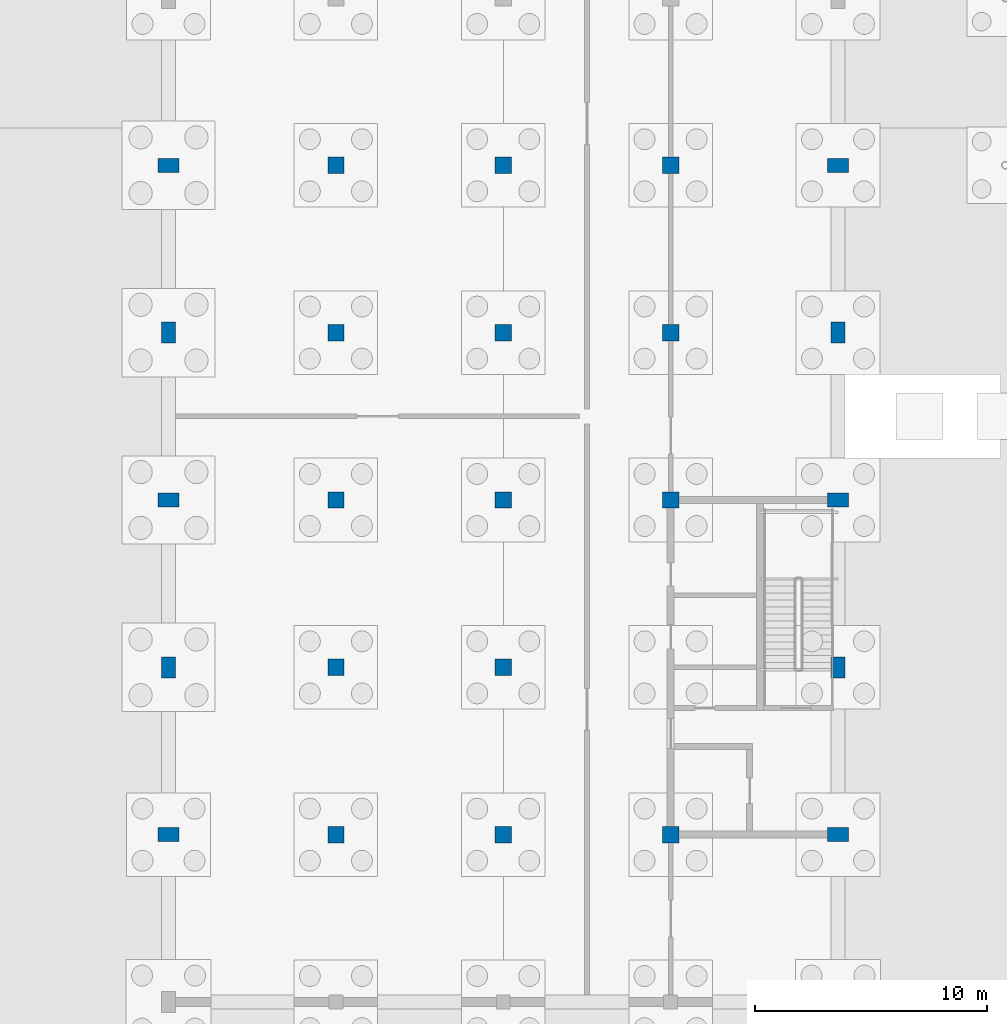
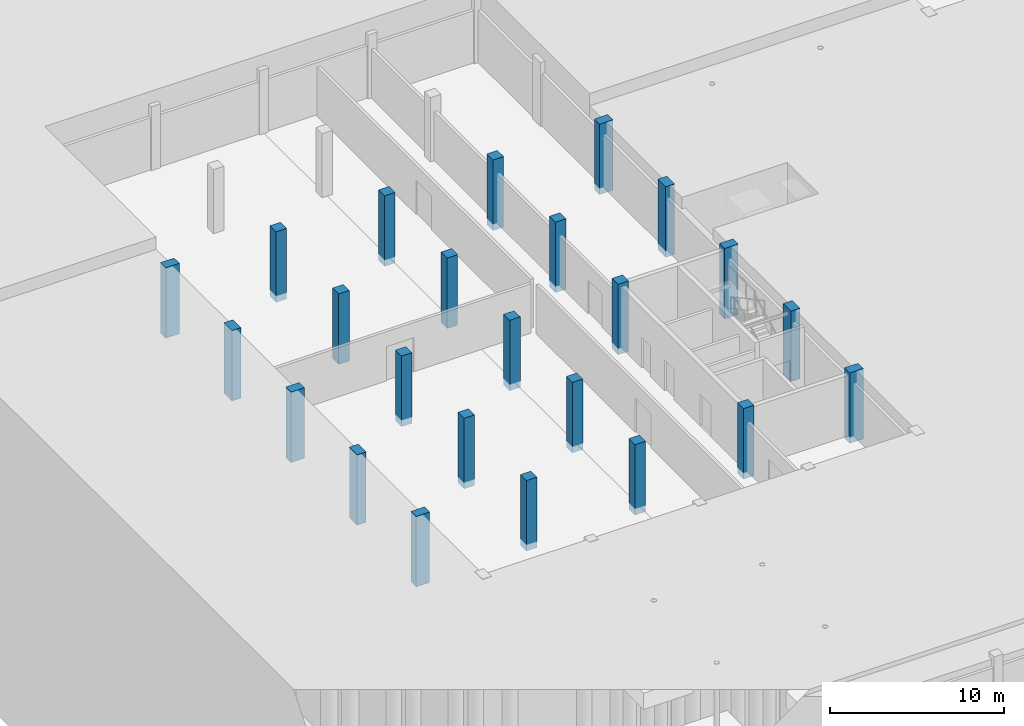
# One storey, part 17 of 51: 24 columns.
"""IFC4 building model written with IfcOpenShell, lengths in metres."""

from ifc_helpers import new_model, si_unit, direction, frame, origin, origin_2d, place, context, subcontext, project, spatial, rectangle, extrude, material, material_profile, profile_set, type_object, element, save


model = new_model("IFC4")

# Units and contexts
model_context = context("Model", 3, precision=1e-05, world=origin(), true_north=direction((0.0, 1.0)))
body_context = subcontext(model_context, "Body", "Model", "MODEL_VIEW")
ifc_project = project(units=[si_unit("LENGTHUNIT", "METRE"), si_unit("AREAUNIT", "SQUARE_METRE"), si_unit("VOLUMEUNIT", "CUBIC_METRE"), si_unit("PLANEANGLEUNIT", "RADIAN"), si_unit("MASSUNIT", "GRAM", prefix="KILO")], contexts=[model_context])

# Site, building, storey
site_placement = place(None, origin())
site = spatial("IfcSite", under=ifc_project, at=site_placement, CompositionType="ELEMENT")
building_placement = place(site_placement, origin())
building = spatial("IfcBuilding", under=site, at=building_placement, Name="Zlatovets Crest Museum", CompositionType="ELEMENT")
storey_placement = place(building_placement, frame((0.0, 0.0, -4.5)))
storey = spatial("IfcBuildingStorey", under=building, at=storey_placement, Name="B1", CompositionType="ELEMENT", Elevation=-4.5)

# Columns
ifc_material = material(Name="Concrete C35/45", Category="concrete")
ifc_material_profile_1 = material_profile(ifc_material, rectangle(XDim=0.699951171875, YDim=0.699951171875, at=origin_2d()), Name="RC 700x700")
ifc_profile_set_1 = profile_set([ifc_material_profile_1], Name="Concrete C35/45")
column_type_1 = type_object("IfcColumnType", Name="Col_C-01", PredefinedType="COLUMN", material=ifc_profile_set_1)
for number, where, z_axis, x_axis, name in (
    (1, (14.39990234375, 57.60009765625, -0.449951171875), (0.0, 0.0, 1.0), (1.0, 0.0, 0.0), "V4 B1 Column (14.4, 57.6)"),
    (2, (14.39990234375, 64.800048828125, -0.449951171875), (0.0, 0.0, 1.0), (0.0, 1.0, 0.0), "V4 B1 Column (14.4, 64.8)"),
    (3, (14.39990234375, 72.0, -0.449951171875), (0.0, 0.0, 1.0), (1.0, 0.0, 0.0), "V4 B1 Column (14.4, 72.0)"),
    (4, (14.39990234375, 79.199951171875, -0.449951171875), (0.0, 0.0, 1.0), (0.0, 1.0, 0.0), "V4 B1 Column (14.4, 79.2)"),
    (5, (14.39990234375, 86.39990234375, -0.449951171875), (0.0, 0.0, 1.0), (1.0, 0.0, 0.0), "V4 B1 Column (14.4, 86.4)"),
    (6, (21.60009765625, 57.60009765625, -0.449951171875), (0.0, 0.0, 1.0), (0.0, 1.0, 0.0), "V4 B1 Column (21.6, 57.6)"),
    (7, (21.60009765625, 64.800048828125, -0.449951171875), (0.0, 0.0, 1.0), (1.0, 0.0, 0.0), "V4 B1 Column (21.6, 64.8)"),
    (8, (21.60009765625, 72.0, -0.449951171875), (0.0, 0.0, 1.0), (0.0, 1.0, 0.0), "V4 B1 Column (21.6, 72.0)"),
    (9, (21.60009765625, 79.199951171875, -0.449951171875), (0.0, 0.0, 1.0), (1.0, 0.0, 0.0), "V4 B1 Column (21.6, 79.2)"),
    (10, (21.60009765625, 86.39990234375, -0.449951171875), (0.0, 0.0, 1.0), (0.0, 1.0, 0.0), "V4 B1 Column (21.6, 86.4)"),
    (11, (28.800048828125, 57.60009765625, -0.449951171875), (0.0, 0.0, 1.0), (1.0, 0.0, 0.0), "V4 B1 Column (28.8, 57.6)"),
    (12, (28.800048828125, 72.0, -0.449951171875), (0.0, 0.0, 1.0), (1.0, 0.0, 0.0), "V4 B1 Column (28.8, 72.0)"),
    (13, (28.800048828125, 79.199951171875, -0.449951171875), (0.0, 0.0, 1.0), (0.0, 1.0, 0.0), "V4 B1 Column (28.8, 79.2)"),
    (14, (28.800048828125, 86.39990234375, -0.449951171875), (0.0, 0.0, 1.0), (1.0, 0.0, 0.0), "V4 B1 Column (28.8, 86.4)"),
):
    element("IfcColumn", number, at=place(storey_placement, frame(where, z_axis=z_axis, x_axis=x_axis)), inside=storey, type_object=column_type_1, Name=name, PredefinedType="COLUMN", context=body_context, shape_type="SweptSolid", body=[
        extrude(rectangle(XDim=0.699951171875, YDim=0.699951171875, at=origin_2d()), origin(), (0.0, 0.0, 1.0), 4.949951171875),
    ])
ifc_material_profile_2 = material_profile(ifc_material, rectangle(XDim=0.60009765625, YDim=0.89990234375, at=origin_2d()), Name="RC 600x900")
ifc_profile_set_2 = profile_set([ifc_material_profile_2], Name="Concrete C35/45")
column_type_2 = type_object("IfcColumnType", Name="Col_C-03", PredefinedType="PILASTER", material=ifc_profile_set_2)
for number, where, z_axis, x_axis, name in (
    (15, (7.199951171875, 57.60009765625, -0.449951171875), (0.0, 0.0, 1.0), (0.0, 1.0, 0.0), "V4 B1 Column (7.2, 57.6)"),
    (16, (7.199951171875, 64.800048828125, -0.449951171875), (0.0, 0.0, 1.0), (1.0, 0.0, 0.0), "V4 B1 Column (7.2, 64.8)"),
    (17, (7.199951171875, 72.0, -0.449951171875), (0.0, 0.0, 1.0), (0.0, 1.0, 0.0), "V4 B1 Column (7.2, 72.0)"),
    (18, (7.199951171875, 79.199951171875, -0.449951171875), (0.0, 0.0, 1.0), (1.0, 0.0, 0.0), "V4 B1 Column (7.2, 79.2)"),
    (19, (7.199951171875, 86.39990234375, -0.449951171875), (0.0, 0.0, 1.0), (0.0, 1.0, 0.0), "V4 B1 Column (7.2, 86.4)"),
    (20, (36.0, 57.60009765625, -0.449951171875), (0.0, 0.0, 1.0), (0.0, 1.0, 0.0), "V4 B1 Column (36.0, 57.6)"),
    (21, (36.0, 64.800048828125, -0.449951171875), (0.0, 0.0, 1.0), (1.0, 0.0, 0.0), "V4 B1 Column (36.0, 64.8)"),
    (22, (36.0, 72.0, -0.449951171875), (0.0, 0.0, 1.0), (0.0, 1.0, 0.0), "V4 B1 Column (36.0, 72.0)"),
    (23, (36.0, 79.199951171875, -0.449951171875), (0.0, 0.0, 1.0), (1.0, 0.0, 0.0), "V4 B1 Column (36.0, 79.2)"),
    (24, (36.0, 86.39990234375, -0.449951171875), (0.0, 0.0, 1.0), (0.0, 1.0, 0.0), "V4 B1 Column (36.0, 86.4)"),
):
    element("IfcColumn", number, at=place(storey_placement, frame(where, z_axis=z_axis, x_axis=x_axis)), inside=storey, type_object=column_type_2, Name=name, PredefinedType="PILASTER", context=body_context, shape_type="SweptSolid", body=[
        extrude(rectangle(XDim=0.60009765625, YDim=0.89990234375, at=origin_2d()), origin(), (0.0, 0.0, 1.0), 4.949951171875),
    ])

save(model, "model.ifc")
